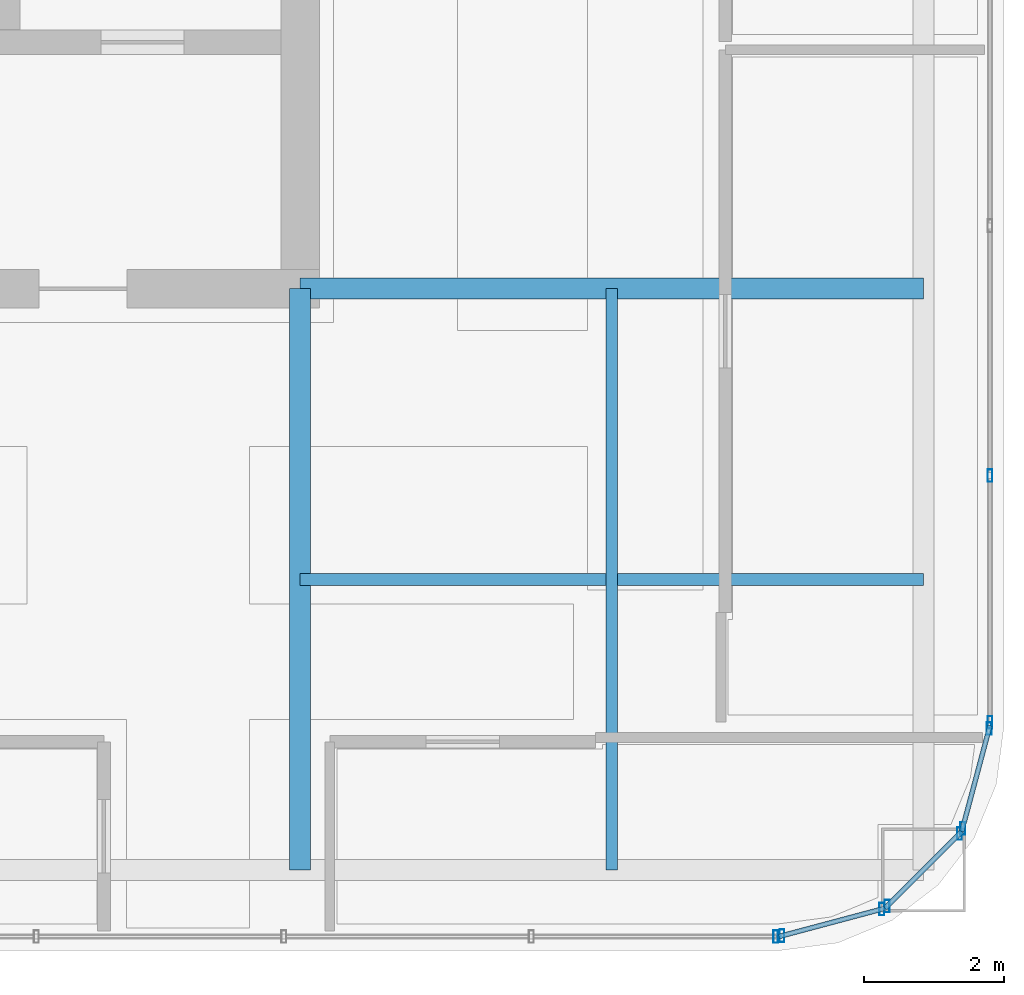
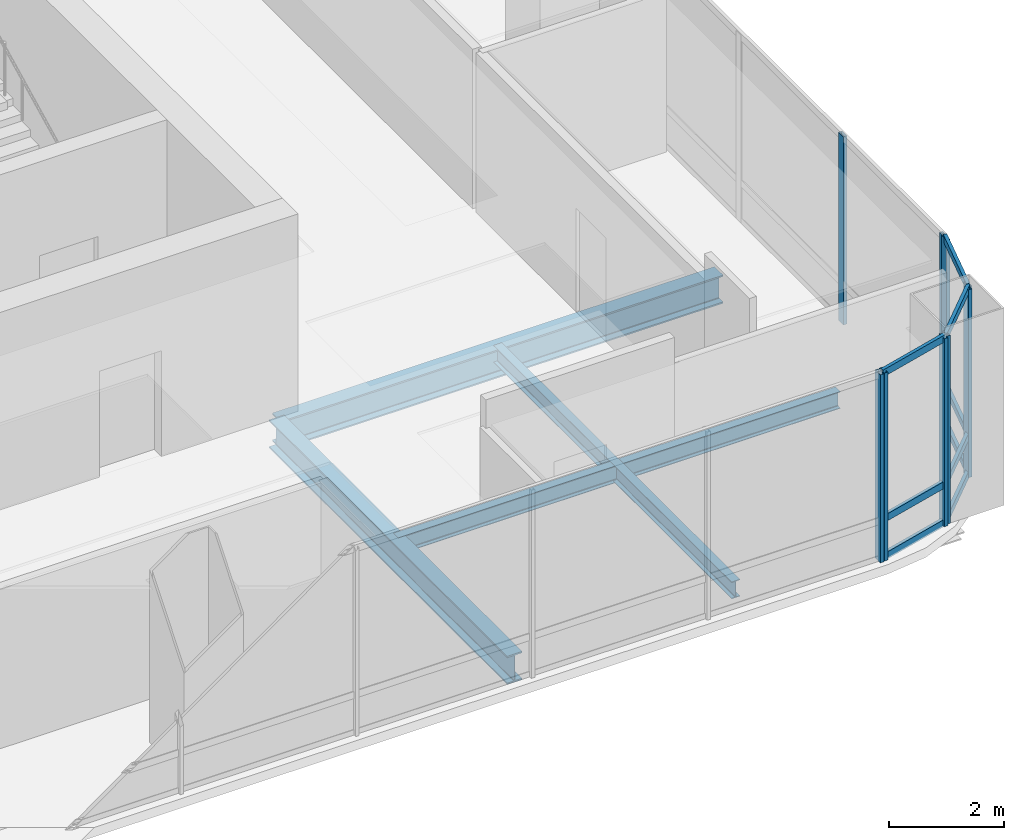
# One storey, part 16 of 41: 18 members, 4 beams, 5 elements without a shape of their own.
"""IFC4 building model written with IfcOpenShell, lengths in metres."""

from ifc_helpers import new_model, si_unit, direction, frame, origin, origin_2d, place, context, subcontext, project, spatial, hollow_rectangle, i_section, extrude, material, material_profile, profile_set, type_object, element, aggregate, save


model = new_model("IFC4")

# Units and contexts
model_context = context("Model", 3, precision=1e-05, world=origin(), true_north=direction((0.0, 1.0)))
body_context = subcontext(model_context, "Body", "Model", "MODEL_VIEW")
ifc_project = project(units=[si_unit("LENGTHUNIT", "METRE"), si_unit("AREAUNIT", "SQUARE_METRE"), si_unit("VOLUMEUNIT", "CUBIC_METRE"), si_unit("PLANEANGLEUNIT", "RADIAN"), si_unit("MASSUNIT", "GRAM", prefix="KILO")], contexts=[model_context])

# Site, building, storey
site_placement = place(None, origin())
site = spatial("IfcSite", under=ifc_project, at=site_placement, CompositionType="ELEMENT")
building_placement = place(site_placement, origin())
building = spatial("IfcBuilding", under=site, at=building_placement, Name="Punatoya Terracotta Tower", CompositionType="ELEMENT")
storey_placement = place(building_placement, frame((0.0, 0.0, 309.0)))
storey = spatial("IfcBuildingStorey", under=building, at=storey_placement, Name="L73", CompositionType="ELEMENT", Elevation=309.0)

# Beams
ifc_material_1 = material(Name="Steel S355", Category="steel")
ifc_material_profile_1 = material_profile(ifc_material_1, i_section(OverallWidth=0.300048828125, OverallDepth=0.60009765625, WebThickness=0.015380859375, FlangeThickness=0.030029296875, FilletRadius=0.01806640625, at=origin_2d()))
ifc_profile_set_1 = profile_set([ifc_material_profile_1], Name="Steel S355")
beam_type_1 = type_object("IfcBeamType", Name="BM-PRI-600", PredefinedType="BEAM", material=ifc_profile_set_1)
beam_1_placement = place(storey_placement, frame((10.199951171875, -9.199951171875, -0.5), z_axis=(1.0, 0.0, 0.0), x_axis=(0.0, 1.0, 0.0)))
element("IfcBeam", 1, at=beam_1_placement, inside=storey, type_object=beam_type_1, Name="BM-L73-PR-ES", PredefinedType="BEAM", context=body_context, shape_type="SweptSolid", body=[
    extrude(i_section(OverallWidth=0.300048828125, OverallDepth=0.60009765625, WebThickness=0.015380859375, FlangeThickness=0.030029296875, FilletRadius=0.01806640625, at=origin_2d()), origin(), (0.0, 0.0, 1.0), 8.900146484375),
])
beam_2_placement = place(storey_placement, frame((10.199951171875, -17.5, -0.5), z_axis=(0.0, 1.0, 0.0), x_axis=(-1.0, 0.0, 0.0)))
element("IfcBeam", 2, at=beam_2_placement, inside=storey, type_object=beam_type_1, Name="BM-L73-PR-S4", PredefinedType="BEAM", context=body_context, shape_type="SweptSolid", body=[
    extrude(i_section(OverallWidth=0.300048828125, OverallDepth=0.60009765625, WebThickness=0.015380859375, FlangeThickness=0.030029296875, FilletRadius=0.01806640625, at=origin_2d()), origin(), (0.0, 0.0, 1.0), 8.300048828125),
])
ifc_material_profile_2 = material_profile(ifc_material_1, i_section(OverallWidth=0.169921875, OverallDepth=0.360107421875, WebThickness=0.008056640625, FlangeThickness=0.0126953125, FilletRadius=0.01806640625, at=origin_2d()))
ifc_profile_set_2 = profile_set([ifc_material_profile_2], Name="Steel S355")
beam_type_2 = type_object("IfcBeamType", Name="BM-SEC-360", PredefinedType="JOIST", material=ifc_profile_set_2)
beam_3_placement = place(storey_placement, frame((10.199951171875, -13.35009765625, -0.3798828125), z_axis=(1.0, 0.0, 0.0), x_axis=(0.0, 1.0, 0.0)))
element("IfcBeam", 3, at=beam_3_placement, inside=storey, type_object=beam_type_2, Name="BM-L73-SJS-2", PredefinedType="JOIST", context=body_context, shape_type="SweptSolid", body=[
    extrude(i_section(OverallWidth=0.169921875, OverallDepth=0.360107421875, WebThickness=0.008056640625, FlangeThickness=0.0126953125, FilletRadius=0.01806640625, at=origin_2d()), origin(), (0.0, 0.0, 1.0), 8.900146484375),
])
beam_4_placement = place(storey_placement, frame((14.64990234375, -17.5, -0.3798828125), z_axis=(0.0, 1.0, 0.0), x_axis=(-1.0, 0.0, 0.0)))
element("IfcBeam", 4, at=beam_4_placement, inside=storey, type_object=beam_type_2, Name="BM-L73-SJE-1", PredefinedType="JOIST", context=body_context, shape_type="SweptSolid", body=[
    extrude(i_section(OverallWidth=0.169921875, OverallDepth=0.360107421875, WebThickness=0.008056640625, FlangeThickness=0.0126953125, FilletRadius=0.01806640625, at=origin_2d()), origin(), (0.0, 0.0, 1.0), 8.300048828125),
])

# Curtain wall, member
ifc_material_2 = material(Name="Aluminium 6063-T6 + Double Low-E Glass", Category="aluminium")
curtain_wall_type = type_object("IfcCurtainWallType", Name="CW-M3", PredefinedType="NOTDEFINED", material=ifc_material_2)
curtain_wall_1_placement = place(storey_placement, origin())
curtain_wall_1 = element("IfcCurtainWall", 5, at=curtain_wall_1_placement, inside=storey, type_object=curtain_wall_type, Name="L73 Curtain Wall CW-L73-S01-1", PredefinedType="NOTDEFINED")
ifc_material_3 = material(Name="Aluminium 6063-T6", Category="aluminium")
ifc_material_profile_3 = material_profile(ifc_material_3, hollow_rectangle(XDim=0.070068359375, YDim=0.179931640625, WallThickness=0.00390625, at=origin_2d()))
ifc_profile_set_3 = profile_set([ifc_material_profile_3], Name="Aluminium 6063-T6")
member_type_1 = type_object("IfcMemberType", Name="CW-MUL-M3", PredefinedType="MULLION", material=ifc_profile_set_3)
member_1_placement = place(storey_placement, frame((16.991943359375, -18.449951171875, 0.0), z_axis=(0.0, 0.0, 1.0), x_axis=(1.0, 0.0, 0.0)))
member_1 = element("IfcMember", 6, at=member_1_placement, type_object=member_type_1, Name="CW-L73-S01-1 Mullion 11", PredefinedType="MULLION", context=body_context, shape_type="SweptSolid", body=[
    extrude(hollow_rectangle(XDim=0.070068359375, YDim=0.179931640625, WallThickness=0.00390625, at=origin_2d()), origin(), (0.0, 0.0, 1.0), 4.0),
])
aggregate(curtain_wall_1, [member_1])

# Curtain wall, members
curtain_wall_2_placement = place(storey_placement, origin())
curtain_wall_2 = element("IfcCurtainWall", 7, at=curtain_wall_2_placement, inside=storey, type_object=curtain_wall_type, Name="L73 Curtain Wall CW-L73-CRN02", PredefinedType="NOTDEFINED")
member_2_placement = place(storey_placement, frame((17.080322265625, -18.4384765625, 0.0), z_axis=(0.0, 0.0, 1.0), x_axis=(1.0, 0.0, 0.0)))
member_2 = element("IfcMember", 8, at=member_2_placement, type_object=member_type_1, Name="CW-L73-CRN02 Mullion 00", PredefinedType="MULLION", context=body_context, shape_type="SweptSolid", body=[
    extrude(hollow_rectangle(XDim=0.070068359375, YDim=0.179931640625, WallThickness=0.00390625, at=origin_2d()), origin(), (0.0, 0.0, 1.0), 4.0),
])
member_3_placement = place(storey_placement, frame((18.505615234375, -18.05810546875, 0.0), z_axis=(0.0, 0.0, 1.0), x_axis=(1.0, 0.0, 0.0)))
member_3 = element("IfcMember", 9, at=member_3_placement, type_object=member_type_1, Name="CW-L73-CRN02 Mullion 01", PredefinedType="MULLION", context=body_context, shape_type="SweptSolid", body=[
    extrude(hollow_rectangle(XDim=0.070068359375, YDim=0.179931640625, WallThickness=0.00390625, at=origin_2d()), origin(), (0.0, 0.0, 1.0), 4.0),
])

curtain_wall_3_placement = place(storey_placement, origin())
curtain_wall_3 = element("IfcCurtainWall", 10, at=curtain_wall_3_placement, inside=storey, type_object=curtain_wall_type, Name="L73 Curtain Wall CW-L73-CRN03", PredefinedType="NOTDEFINED")
member_4_placement = place(storey_placement, frame((18.580810546875, -18.014892578125, 0.0), z_axis=(0.0, 0.0, 1.0), x_axis=(1.0, 0.0, 0.0)))
member_4 = element("IfcMember", 11, at=member_4_placement, type_object=member_type_1, Name="CW-L73-CRN03 Mullion 00", PredefinedType="MULLION", context=body_context, shape_type="SweptSolid", body=[
    extrude(hollow_rectangle(XDim=0.070068359375, YDim=0.179931640625, WallThickness=0.00390625, at=origin_2d()), origin(), (0.0, 0.0, 1.0), 4.0),
])
member_5_placement = place(storey_placement, frame((19.61474609375, -16.98095703125, 0.0), z_axis=(0.0, 0.0, 1.0), x_axis=(1.0, 0.0, 0.0)))
member_5 = element("IfcMember", 12, at=member_5_placement, type_object=member_type_1, Name="CW-L73-CRN03 Mullion 01", PredefinedType="MULLION", context=body_context, shape_type="SweptSolid", body=[
    extrude(hollow_rectangle(XDim=0.070068359375, YDim=0.179931640625, WallThickness=0.00390625, at=origin_2d()), origin(), (0.0, 0.0, 1.0), 4.0),
])

curtain_wall_4_placement = place(storey_placement, origin())
curtain_wall_4 = element("IfcCurtainWall", 13, at=curtain_wall_4_placement, inside=storey, type_object=curtain_wall_type, Name="L73 Curtain Wall CW-L73-CRN04", PredefinedType="NOTDEFINED")
member_6_placement = place(storey_placement, frame((19.658203125, -16.905517578125, 0.0), z_axis=(0.0, 0.0, 1.0), x_axis=(1.0, 0.0, 0.0)))
member_6 = element("IfcMember", 14, at=member_6_placement, type_object=member_type_1, Name="CW-L73-CRN04 Mullion 00", PredefinedType="MULLION", context=body_context, shape_type="SweptSolid", body=[
    extrude(hollow_rectangle(XDim=0.070068359375, YDim=0.179931640625, WallThickness=0.00390625, at=origin_2d()), origin(), (0.0, 0.0, 1.0), 4.0),
])
member_7_placement = place(storey_placement, frame((20.038330078125, -15.48046875, 0.0), z_axis=(0.0, 0.0, 1.0), x_axis=(1.0, 0.0, 0.0)))
member_7 = element("IfcMember", 15, at=member_7_placement, type_object=member_type_1, Name="CW-L73-CRN04 Mullion 01", PredefinedType="MULLION", context=body_context, shape_type="SweptSolid", body=[
    extrude(hollow_rectangle(XDim=0.070068359375, YDim=0.179931640625, WallThickness=0.00390625, at=origin_2d()), origin(), (0.0, 0.0, 1.0), 4.0),
])

curtain_wall_5_placement = place(storey_placement, origin())
curtain_wall_5 = element("IfcCurtainWall", 16, at=curtain_wall_5_placement, inside=storey, type_object=curtain_wall_type, Name="L73 Curtain Wall CW-L73-E05-1", PredefinedType="NOTDEFINED")
member_8_placement = place(storey_placement, frame((20.050048828125, -15.391845703125, 0.0), z_axis=(0.0, 0.0, 1.0), x_axis=(1.0, 0.0, 0.0)))
member_8 = element("IfcMember", 17, at=member_8_placement, type_object=member_type_1, Name="CW-L73-E05-1 Mullion 00", PredefinedType="MULLION", context=body_context, shape_type="SweptSolid", body=[
    extrude(hollow_rectangle(XDim=0.070068359375, YDim=0.179931640625, WallThickness=0.00390625, at=origin_2d()), origin(), (0.0, 0.0, 1.0), 4.0),
])
member_9_placement = place(storey_placement, frame((20.050048828125, -11.869384765625, 0.0), z_axis=(0.0, 0.0, 1.0), x_axis=(1.0, 0.0, 0.0)))
member_9 = element("IfcMember", 18, at=member_9_placement, type_object=member_type_1, Name="CW-L73-E05-1 Mullion 01", PredefinedType="MULLION", context=body_context, shape_type="SweptSolid", body=[
    extrude(hollow_rectangle(XDim=0.070068359375, YDim=0.179931640625, WallThickness=0.00390625, at=origin_2d()), origin(), (0.0, 0.0, 1.0), 4.0),
])
aggregate(curtain_wall_5, [member_8, member_9])

# Member
ifc_material_profile_4 = material_profile(ifc_material_3, hollow_rectangle(XDim=0.068115234375, YDim=0.14990234375, WallThickness=0.00390625, at=origin_2d()))
ifc_profile_set_4 = profile_set([ifc_material_profile_4], Name="Aluminium 6063-T6")
member_type_2 = type_object("IfcMemberType", Name="CW-TRN-TYP", PredefinedType="USERDEFINED", material=ifc_profile_set_4)
member_10_placement = place(storey_placement, frame((17.036865234375, -18.449951171875, 0.0400390625), z_axis=(0.966224582397, 0.257701486942, 0.0), x_axis=(-0.257701486942, 0.966224582397, 0.0)))
member_10 = element("IfcMember", 19, at=member_10_placement, type_object=member_type_2, Name="CW-L73-CRN02 Transom 1", ObjectType="TRANSOM", PredefinedType="USERDEFINED", context=body_context, shape_type="SweptSolid", body=[
    extrude(hollow_rectangle(XDim=0.068115234375, YDim=0.14990234375, WallThickness=0.00390625, at=origin_2d()), origin(), (0.0, 0.0, 1.0), 1.565185546875),
])

member_11_placement = place(storey_placement, frame((17.036865234375, -18.449951171875, 0.85009765625), z_axis=(0.966224582397, 0.257701486942, 0.0), x_axis=(-0.257701486942, 0.966224582397, 0.0)))
member_11 = element("IfcMember", 20, at=member_11_placement, type_object=member_type_2, Name="CW-L73-CRN02 Transom 2", ObjectType="TRANSOM", PredefinedType="USERDEFINED", context=body_context, shape_type="SweptSolid", body=[
    extrude(hollow_rectangle(XDim=0.068115234375, YDim=0.14990234375, WallThickness=0.00390625, at=origin_2d()), origin(), (0.0, 0.0, 1.0), 1.565185546875),
])

member_12_placement = place(storey_placement, frame((17.036865234375, -18.449951171875, 3.9599609375), z_axis=(0.966224582397, 0.257701486942, 0.0), x_axis=(-0.257701486942, 0.966224582397, 0.0)))
member_12 = element("IfcMember", 21, at=member_12_placement, type_object=member_type_2, Name="CW-L73-CRN02 Transom 3", ObjectType="TRANSOM", PredefinedType="USERDEFINED", context=body_context, shape_type="SweptSolid", body=[
    extrude(hollow_rectangle(XDim=0.068115234375, YDim=0.14990234375, WallThickness=0.00390625, at=origin_2d()), origin(), (0.0, 0.0, 1.0), 1.565185546875),
])

aggregate(curtain_wall_2, [member_2, member_3, member_10, member_11, member_12])

member_13_placement = place(storey_placement, frame((18.549072265625, -18.046630859375, 0.0400390625), z_axis=(0.707106781187, 0.707106781187, 0.0), x_axis=(-0.707106781187, 0.707106781187, 0.0)))
member_13 = element("IfcMember", 22, at=member_13_placement, type_object=member_type_2, Name="CW-L73-CRN03 Transom 1", ObjectType="TRANSOM", PredefinedType="USERDEFINED", context=body_context, shape_type="SweptSolid", body=[
    extrude(hollow_rectangle(XDim=0.068115234375, YDim=0.14990234375, WallThickness=0.00390625, at=origin_2d()), origin(), (0.0, 0.0, 1.0), 1.552001953125),
])

member_14_placement = place(storey_placement, frame((18.549072265625, -18.046630859375, 0.85009765625), z_axis=(0.707106781187, 0.707106781187, 0.0), x_axis=(-0.707106781187, 0.707106781187, 0.0)))
member_14 = element("IfcMember", 23, at=member_14_placement, type_object=member_type_2, Name="CW-L73-CRN03 Transom 2", ObjectType="TRANSOM", PredefinedType="USERDEFINED", context=body_context, shape_type="SweptSolid", body=[
    extrude(hollow_rectangle(XDim=0.068115234375, YDim=0.14990234375, WallThickness=0.00390625, at=origin_2d()), origin(), (0.0, 0.0, 1.0), 1.552001953125),
])

member_15_placement = place(storey_placement, frame((18.549072265625, -18.046630859375, 3.9599609375), z_axis=(0.707106781187, 0.707106781187, 0.0), x_axis=(-0.707106781187, 0.707106781187, 0.0)))
member_15 = element("IfcMember", 24, at=member_15_placement, type_object=member_type_2, Name="CW-L73-CRN03 Transom 3", ObjectType="TRANSOM", PredefinedType="USERDEFINED", context=body_context, shape_type="SweptSolid", body=[
    extrude(hollow_rectangle(XDim=0.068115234375, YDim=0.14990234375, WallThickness=0.00390625, at=origin_2d()), origin(), (0.0, 0.0, 1.0), 1.552001953125),
])

aggregate(curtain_wall_3, [member_4, member_5, member_13, member_14, member_15])

member_16_placement = place(storey_placement, frame((19.646484375, -16.94921875, 0.0400390625), z_axis=(0.257847112249, 0.966185730957, 0.0), x_axis=(-0.966185730957, 0.257847112249, 0.0)))
member_16 = element("IfcMember", 25, at=member_16_placement, type_object=member_type_2, Name="CW-L73-CRN04 Transom 1", ObjectType="TRANSOM", PredefinedType="USERDEFINED", context=body_context, shape_type="SweptSolid", body=[
    extrude(hollow_rectangle(XDim=0.068115234375, YDim=0.14990234375, WallThickness=0.00390625, at=origin_2d()), origin(), (0.0, 0.0, 1.0), 1.565185546875),
])

member_17_placement = place(storey_placement, frame((19.646484375, -16.94921875, 0.85009765625), z_axis=(0.257847112249, 0.966185730957, 0.0), x_axis=(-0.966185730957, 0.257847112249, 0.0)))
member_17 = element("IfcMember", 26, at=member_17_placement, type_object=member_type_2, Name="CW-L73-CRN04 Transom 2", ObjectType="TRANSOM", PredefinedType="USERDEFINED", context=body_context, shape_type="SweptSolid", body=[
    extrude(hollow_rectangle(XDim=0.068115234375, YDim=0.14990234375, WallThickness=0.00390625, at=origin_2d()), origin(), (0.0, 0.0, 1.0), 1.565185546875),
])

member_18_placement = place(storey_placement, frame((19.646484375, -16.94921875, 3.9599609375), z_axis=(0.257847112249, 0.966185730957, 0.0), x_axis=(-0.966185730957, 0.257847112249, 0.0)))
member_18 = element("IfcMember", 27, at=member_18_placement, type_object=member_type_2, Name="CW-L73-CRN04 Transom 3", ObjectType="TRANSOM", PredefinedType="USERDEFINED", context=body_context, shape_type="SweptSolid", body=[
    extrude(hollow_rectangle(XDim=0.068115234375, YDim=0.14990234375, WallThickness=0.00390625, at=origin_2d()), origin(), (0.0, 0.0, 1.0), 1.565185546875),
])

aggregate(curtain_wall_4, [member_6, member_7, member_16, member_17, member_18])

save(model, "model.ifc")
